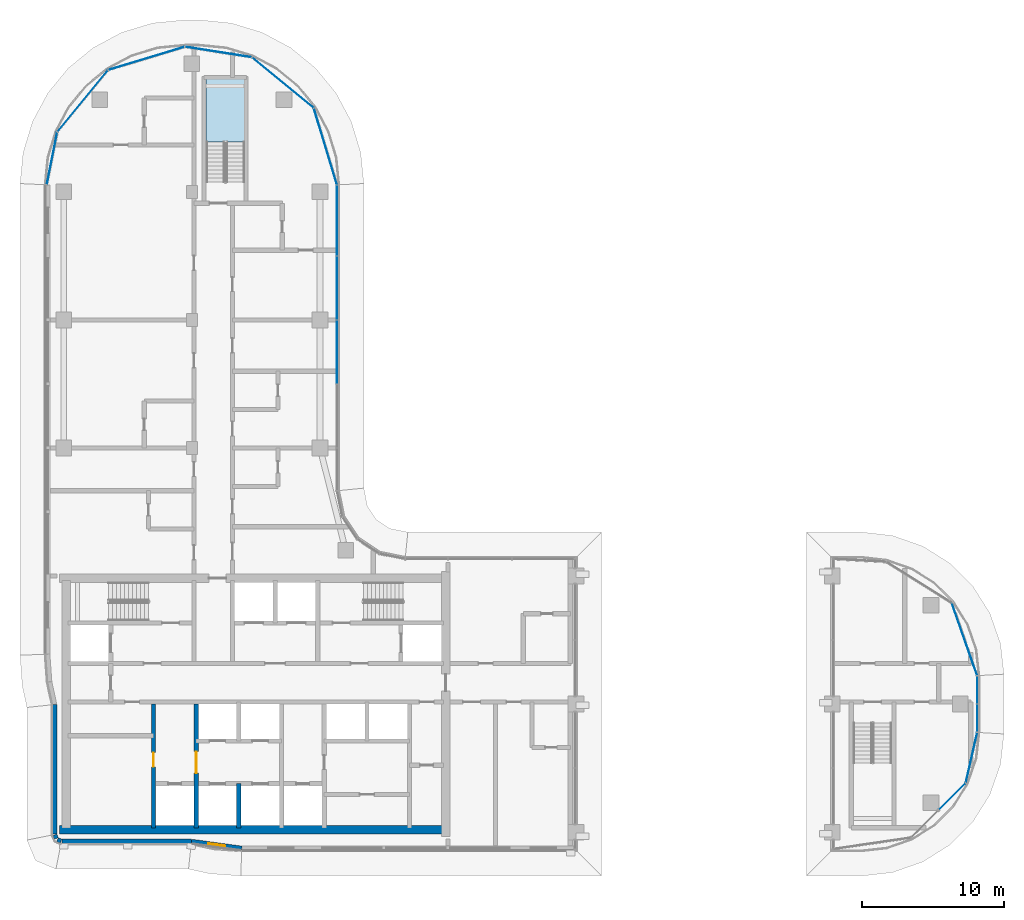
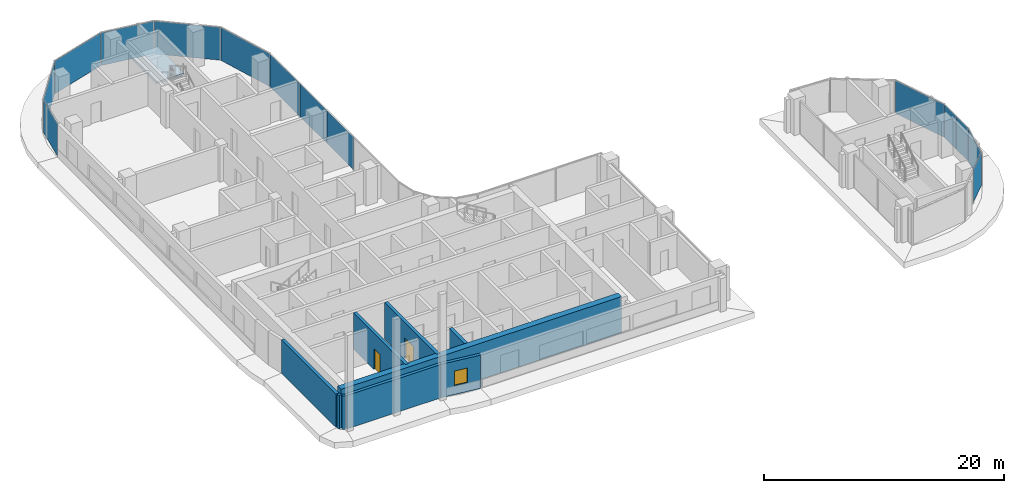
# One storey, part 10 of 27: 14 plates, 9 walls, 2 doors, 1 slab, 1 window, 3 openings, 6 elements without a shape of their own.
"""IFC4 building model written with IfcOpenShell, lengths in metres."""

import ifcopenshell
import ifcopenshell.guid

model = None  # the IFC model being written
_history = None  # IfcOwnerHistory: only IFC2X3 demands one
_inside = {}  # id of a spatial element -> (the spatial element, [elements in it])
_under = {}  # id of a project, library or spatial element -> (it, [spatial elements below it])
_declared = {}  # id of a project -> (the project, [libraries it declares])
_typed = {}  # id of a type object -> (the type object, [elements of that type])
_made_of = {}  # id of a material, layer set ... -> (it, [elements and type objects made of it])


def new_model(schema):
    """Start an empty IFC model of exactly this schema.

    Asked for "IFC4X3", IfcOpenShell would pick the latest addendum, in which some entities
    have other attributes; the version numbers below select the first issue.
    IFC2X3 requires an IfcOwnerHistory on every rooted entity: one is made here for all.
    """
    global model, _history
    if schema == "IFC4X3":
        model = ifcopenshell.file(schema_version=(4, 3, 0, 0))
    else:
        model = ifcopenshell.file(schema=schema)
    _inside.clear()
    _under.clear()
    _declared.clear()
    _typed.clear()
    _made_of.clear()
    _history = None
    if model.schema == "IFC2X3":
        org = make("IfcOrganization", Name="unknown")
        user = make(
            "IfcPersonAndOrganization",
            ThePerson=make("IfcPerson", FamilyName="unknown"),
            TheOrganization=org,
        )
        app = make(
            "IfcApplication",
            ApplicationDeveloper=org,
            Version="unknown",
            ApplicationFullName="unknown",
            ApplicationIdentifier="unknown",
        )
        _history = make(
            "IfcOwnerHistory",
            OwningUser=user,
            OwningApplication=app,
            ChangeAction="ADDED",
            CreationDate=0,
        )
    return model


def make(cls, **values):
    """One entity of the class cls with the attributes given. An attribute that is None is left unset."""
    return model.create_entity(
        cls, **{name: value for name, value in values.items() if value is not None}
    )


def rooted(cls, **values):
    """An entity with a GlobalId (a new one), such as an element, a storey or a relation."""
    return make(cls, GlobalId=ifcopenshell.guid.new(), OwnerHistory=_history, **values)


def si_unit(unit_type, name, prefix=None):
    """IfcSIUnit, for example si_unit("LENGTHUNIT", "METRE", prefix="MILLI")."""
    return make("IfcSIUnit", UnitType=unit_type, Prefix=prefix, Name=name)


def assignment(units):
    """IfcUnitAssignment: the units of a project."""
    return None if units is None else make("IfcUnitAssignment", Units=units)


def point(xyz):
    """IfcCartesianPoint."""
    return None if xyz is None else make("IfcCartesianPoint", Coordinates=xyz)


def direction(xyz):
    """IfcDirection."""
    return None if xyz is None else make("IfcDirection", DirectionRatios=xyz)


def frame(location, z_axis=None, x_axis=None):
    """IfcAxis2Placement3D, a coordinate frame: its origin and axes. An axis left out is left unset."""
    return make(
        "IfcAxis2Placement3D",
        Location=point(location),
        Axis=direction(z_axis),
        RefDirection=direction(x_axis),
    )


def frame_2d(location, x_axis=None):
    """IfcAxis2Placement2D, a coordinate frame in the plane: its origin and x axis."""
    return make(
        "IfcAxis2Placement2D", Location=point(location), RefDirection=direction(x_axis)
    )


def origin():
    """The frame at (0, 0, 0) with its axes left unset."""
    return frame((0.0, 0.0, 0.0))


def origin_2d():
    """The frame at (0, 0) in the plane with its x axis left unset."""
    return frame_2d((0.0, 0.0))


def place(relative_to, where):
    """IfcLocalPlacement: puts the frame where relative to a parent placement (None: the world)."""
    return make(
        "IfcLocalPlacement", PlacementRelTo=relative_to, RelativePlacement=where
    )


def context(
    kind, dimensions, precision=None, world=None, true_north=None, identifier=None
):
    """IfcGeometricRepresentationContext, for example the 3D "Model" context."""
    return make(
        "IfcGeometricRepresentationContext",
        ContextIdentifier=identifier,
        ContextType=kind,
        CoordinateSpaceDimension=dimensions,
        Precision=precision,
        WorldCoordinateSystem=world,
        TrueNorth=true_north,
    )


def subcontext(parent, identifier, kind, view, scale=None):
    """IfcGeometricRepresentationSubContext, for example "Body" below "Model"."""
    return make(
        "IfcGeometricRepresentationSubContext",
        ContextIdentifier=identifier,
        ContextType=kind,
        ParentContext=parent,
        TargetScale=scale,
        TargetView=view,
    )


def project(units=None, contexts=None):
    """IfcProject with its units and contexts."""
    return rooted(
        "IfcProject",
        Name="project",
        RepresentationContexts=contexts,
        UnitsInContext=assignment(units),
    )


def spatial(cls, under=None, at=None, **own):
    """A site, building, storey or space (cls), placed at a placement, below another one or the project."""
    s = rooted(cls, ObjectPlacement=at, **own)
    if under is not None:
        _under.setdefault(under.id(), (under, []))[1].append(s)
    return s


def polyline(points):
    """IfcPolyline through the points."""
    return make("IfcPolyline", Points=[point(p) for p in points])


def profile(cls, at=None, kind="AREA", **sizes):
    """A parametric profile (cls). Its sizes go by their IFC names, for example OverallWidth=200.0."""
    return make(cls, ProfileType=kind, Position=at, **sizes)


def rectangle(**sizes):
    """IfcRectangleProfileDef."""
    return profile("IfcRectangleProfileDef", **sizes)


def outline(outer, holes=None, kind="AREA"):
    """IfcArbitraryClosedProfileDef: a profile drawn as a closed curve; with holes, ...WithVoids."""
    if holes is None:
        return make("IfcArbitraryClosedProfileDef", ProfileType=kind, OuterCurve=outer)
    return make(
        "IfcArbitraryProfileDefWithVoids",
        ProfileType=kind,
        OuterCurve=outer,
        InnerCurves=holes,
    )


def extrude(swept, where, along, depth):
    """IfcExtrudedAreaSolid: the profile swept, set in the frame where, extruded along a direction by depth."""
    return make(
        "IfcExtrudedAreaSolid",
        SweptArea=swept,
        Position=where,
        ExtrudedDirection=direction(along),
        Depth=depth,
    )


def shape(context_of_items, identifier, shape_type, items):
    """IfcShapeRepresentation: the items that make up one representation, for example the "Body"."""
    return make(
        "IfcShapeRepresentation",
        ContextOfItems=context_of_items,
        RepresentationIdentifier=identifier,
        RepresentationType=shape_type,
        Items=items,
    )


def material(Name=None, Category=None):
    """IfcMaterial."""
    return make("IfcMaterial", Name=Name, Category=Category)


def layer(
    of_material, thickness, ventilated=None, Name=None, Category=None, Priority=None
):
    """IfcMaterialLayer: one layer of a wall or slab, of a material (None: an air gap)."""
    return make(
        "IfcMaterialLayer",
        Material=of_material,
        LayerThickness=thickness,
        IsVentilated=ventilated,
        Name=Name,
        Category=Category,
        Priority=Priority,
    )


def layer_set(layers, Name=None):
    """IfcMaterialLayerSet."""
    return make("IfcMaterialLayerSet", MaterialLayers=layers, LayerSetName=Name)


def made_of(thing, what):
    """Note that an element or type object is made of a material, layer set ...; save() writes the relation."""
    if what is not None:
        _made_of.setdefault(what.id(), (what, []))[1].append(thing)
    return thing


def type_object(cls, material=None, **own):
    """A type object (cls), such as IfcWallType, which elements share."""
    return made_of(rooted(cls, **own), material)


def element(
    cls,
    number,
    at=None,
    inside=None,
    cuts=None,
    type_object=None,
    material=None,
    context=None,
    identifier="Body",
    shape_type=None,
    held_by="IfcProductDefinitionShape",
    body=None,
    shapes=None,
    **own,
):
    """One element of the class cls, such as IfcWall. Its Tag is "e" and its number.

    at: its placement. inside: the storey or other place that contains it. cuts: it is an
    opening in that element (IfcRelVoidsElement). A single representation is given by context,
    identifier, shape_type and body (its items); several are given by shapes. held_by: the class
    of the entity that holds the representations. save() writes the other relations.
    """
    e = rooted(cls, Tag="e%d" % number, ObjectPlacement=at, **own)
    if body is not None:
        shapes = [shape(context, identifier, shape_type, body)]
    if shapes is not None:
        e.Representation = make(held_by, Representations=shapes)
    if inside is not None:
        _inside.setdefault(inside.id(), (inside, []))[1].append(e)
    if cuts is not None:
        rooted(
            "IfcRelVoidsElement", RelatingBuildingElement=cuts, RelatedOpeningElement=e
        )
    if type_object is not None:
        _typed.setdefault(type_object.id(), (type_object, []))[1].append(e)
    return made_of(e, material)


def fill(opening, filler):
    """IfcRelFillsElement: the door or window that sits in an opening."""
    return rooted(
        "IfcRelFillsElement",
        RelatingOpeningElement=opening,
        RelatedBuildingElement=filler,
    )


def aggregate(whole, parts):
    """IfcRelAggregates: a whole, such as a stair, and the parts it consists of."""
    return rooted("IfcRelAggregates", RelatingObject=whole, RelatedObjects=parts)


def save(model, path):
    """Write the relations noted so far, then the file.

    IfcRelAggregates (storeys below a building ...), IfcRelContainedInSpatialStructure (elements
    in a storey), IfcRelDefinesByType, IfcRelAssociatesMaterial and IfcRelDeclares: one each for
    every whole, place, type object, material and project.
    """
    for whole, parts in _under.values():
        aggregate(whole, parts)
    for where, things in _inside.values():
        rooted(
            "IfcRelContainedInSpatialStructure",
            RelatedElements=things,
            RelatingStructure=where,
        )
    for kind, things in _typed.values():
        rooted("IfcRelDefinesByType", RelatedObjects=things, RelatingType=kind)
    for what, things in _made_of.values():
        rooted("IfcRelAssociatesMaterial", RelatedObjects=things, RelatingMaterial=what)
    for by, libraries in _declared.values():
        rooted("IfcRelDeclares", RelatingContext=by, RelatedDefinitions=libraries)
    model.write(path)


model = new_model("IFC4")

# Units and contexts
model_context = context("Model", 3, precision=1e-05, world=origin(), true_north=direction((0.0, 1.0)))
body_context = subcontext(model_context, "Body", "Model", "MODEL_VIEW")
ifc_project = project(units=[si_unit("LENGTHUNIT", "METRE"), si_unit("AREAUNIT", "SQUARE_METRE"), si_unit("VOLUMEUNIT", "CUBIC_METRE"), si_unit("PLANEANGLEUNIT", "RADIAN"), si_unit("MASSUNIT", "GRAM", prefix="KILO")], contexts=[model_context])

# Site, building, storey
site_placement = place(None, origin())
site = spatial("IfcSite", under=ifc_project, at=site_placement, CompositionType="ELEMENT")
building_placement = place(site_placement, origin())
building = spatial("IfcBuilding", under=site, at=building_placement, Name="Ogive Portal Towers", CompositionType="ELEMENT")
storey_placement = place(building_placement, frame((0.0, 0.0, 160.699951171875)))
storey = spatial("IfcBuildingStorey", under=building, at=storey_placement, Name="L39", CompositionType="ELEMENT", Elevation=160.699951171875)

# Curtain wall, plates
ifc_material_1 = material(Name="Glass, clear low-iron insulated glazing", Category="glass")
curtain_wall_type = type_object("IfcCurtainWallType", Name="CW FRONT RIBBON 4500", PredefinedType="NOTDEFINED", material=ifc_material_1)
curtain_wall_1_placement = place(storey_placement, origin())
curtain_wall_1 = element("IfcCurtainWall", 1, at=curtain_wall_1_placement, inside=storey, type_object=curtain_wall_type, Name="A:L39:f12:cw0", PredefinedType="NOTDEFINED")
ifc_layer_1 = layer(ifc_material_1, 0.028076171875)
ifc_layer_set_1 = layer_set([ifc_layer_1], Name="CW PANEL IGU 28")
plate_type = type_object("IfcPlateType", Name="CW PANEL IGU 28", PredefinedType="CURTAIN_PANEL", material=ifc_layer_set_1)
plate_1_placement = place(storey_placement, frame((50.705078125, 55.25, 0.0), z_axis=(0.0, 0.0, 1.0), x_axis=(0.0, 1.0, 0.0)))
plate_1 = element("IfcPlate", 2, at=plate_1_placement, type_object=plate_type, Name="panel", PredefinedType="CURTAIN_PANEL", context=body_context, shape_type="SweptSolid", body=[
    extrude(rectangle(XDim=4.43994140625, YDim=0.028076171875, at=origin_2d()), origin(), (0.0, 0.0, 1.0), 3.340087890625),
])
plate_2_placement = place(storey_placement, frame((50.705078125, 59.75, 0.0), z_axis=(0.0, 0.0, 1.0), x_axis=(0.0, 1.0, 0.0)))
plate_2 = element("IfcPlate", 3, at=plate_2_placement, type_object=plate_type, Name="panel", PredefinedType="CURTAIN_PANEL", context=body_context, shape_type="SweptSolid", body=[
    extrude(rectangle(XDim=4.43994140625, YDim=0.028076171875, at=origin_2d()), origin(), (0.0, 0.0, 1.0), 3.340087890625),
])
plate_3_placement = place(storey_placement, frame((50.705078125, 64.494140625, 0.0), z_axis=(0.0, 0.0, 1.0), x_axis=(0.0, 1.0, 0.0)))
plate_3 = element("IfcPlate", 4, at=plate_3_placement, type_object=plate_type, Name="panel", PredefinedType="CURTAIN_PANEL", context=body_context, shape_type="SweptSolid", body=[
    extrude(rectangle(XDim=4.92822265625, YDim=0.028076171875, at=origin_2d()), origin(), (0.0, 0.0, 1.0), 3.340087890625),
])
aggregate(curtain_wall_1, [plate_1, plate_2, plate_3])

curtain_wall_2_placement = place(storey_placement, origin())
curtain_wall_2 = element("IfcCurtainWall", 5, at=curtain_wall_2_placement, inside=storey, type_object=curtain_wall_type, Name="A:L39:f26:cw0", PredefinedType="NOTDEFINED")
plate_4_placement = place(storey_placement, frame((95.705078125, 29.50439453125, 0.0), z_axis=(0.0, 0.0, 1.0), x_axis=(0.0, 1.0, 0.0)))
plate_4 = element("IfcPlate", 6, at=plate_4_placement, type_object=plate_type, Name="panel", PredefinedType="CURTAIN_PANEL", context=body_context, shape_type="SweptSolid", body=[
    extrude(rectangle(XDim=1.930908203125, YDim=0.028076171875, at=origin_2d()), origin(), (0.0, 0.0, 1.0), 3.340087890625),
])
plate_5_placement = place(storey_placement, frame((95.705078125, 31.4931640625, 0.0), z_axis=(0.0, 0.0, 1.0), x_axis=(0.0, 1.0, 0.0)))
plate_5 = element("IfcPlate", 7, at=plate_5_placement, type_object=plate_type, Name="panel", PredefinedType="CURTAIN_PANEL", context=body_context, shape_type="SweptSolid", body=[
    extrude(rectangle(XDim=1.926513671875, YDim=0.028076171875, at=origin_2d()), origin(), (0.0, 0.0, 1.0), 3.340087890625),
])
aggregate(curtain_wall_2, [plate_4, plate_5])

curtain_wall_3_placement = place(storey_placement, origin())
curtain_wall_3 = element("IfcCurtainWall", 8, at=curtain_wall_3_placement, inside=storey, type_object=curtain_wall_type, Name="A:L39:f13:cwa", PredefinedType="NOTDEFINED")
plate_6_placement = place(storey_placement, frame((49.8857421875, 69.68896484375, 0.0), z_axis=(0.0, 0.0, 1.0), x_axis=(-0.290284677254, 0.956940335732, 0.0)))
plate_6 = element("IfcPlate", 9, at=plate_6_placement, type_object=plate_type, Name="panel", PredefinedType="CURTAIN_PANEL", context=body_context, shape_type="SweptSolid", body=[
    extrude(rectangle(XDim=5.584716796875, YDim=0.028076171875, at=origin_2d()), origin(), (0.0, 0.0, 1.0), 3.340087890625),
])
plate_7_placement = place(storey_placement, frame((46.888427734375, 74.17724609375, 0.0), z_axis=(0.0, 0.0, 1.0), x_axis=(-0.773010453363, 0.634393284164, 0.0)))
plate_7 = element("IfcPlate", 10, at=plate_7_placement, type_object=plate_type, Name="panel", PredefinedType="CURTAIN_PANEL", context=body_context, shape_type="SweptSolid", body=[
    extrude(rectangle(XDim=5.57470703125, YDim=0.028076171875, at=origin_2d()), origin(), (0.0, 0.0, 1.0), 3.340087890625),
])
plate_8_placement = place(storey_placement, frame((42.358154296875, 76.333740234375, 0.0), z_axis=(0.0, 0.0, 1.0), x_axis=(-0.987900568675, 0.15508857602, 0.0)))
plate_8 = element("IfcPlate", 11, at=plate_8_placement, type_object=plate_type, Name="panel", PredefinedType="CURTAIN_PANEL", context=body_context, shape_type="SweptSolid", body=[
    extrude(rectangle(XDim=4.70263671875, YDim=0.028076171875, at=origin_2d()), origin(), (0.0, 0.0, 1.0), 3.340087890625),
])
plate_9_placement = place(storey_placement, frame((37.307861328125, 75.884765625, 0.0), z_axis=(0.0, 0.0, 1.0), x_axis=(-0.956940335732, -0.290284677254, 0.0)))
plate_9 = element("IfcPlate", 12, at=plate_9_placement, type_object=plate_type, Name="panel", PredefinedType="CURTAIN_PANEL", context=body_context, shape_type="SweptSolid", body=[
    extrude(rectangle(XDim=5.578369140625, YDim=0.028076171875, at=origin_2d()), origin(), (0.0, 0.0, 1.0), 3.340087890625),
])
plate_10_placement = place(storey_placement, frame((32.822265625, 72.887939453125, 0.0), z_axis=(0.0, 0.0, 1.0), x_axis=(-0.634393284164, -0.773010453363, 0.0)))
plate_10 = element("IfcPlate", 13, at=plate_10_placement, type_object=plate_type, Name="panel", PredefinedType="CURTAIN_PANEL", context=body_context, shape_type="SweptSolid", body=[
    extrude(rectangle(XDim=5.57666015625, YDim=0.028076171875, at=origin_2d()), origin(), (0.0, 0.0, 1.0), 3.340087890625),
])
plate_11_placement = place(storey_placement, frame((30.664794921875, 68.850830078125, 0.0), z_axis=(0.0, 0.0, 1.0), x_axis=(-0.195090322016, -0.980785280403, 0.0)))
plate_11 = element("IfcPlate", 14, at=plate_11_placement, type_object=plate_type, Name="panel", PredefinedType="CURTAIN_PANEL", context=body_context, shape_type="SweptSolid", body=[
    extrude(rectangle(XDim=3.72998046875, YDim=0.028076171875, at=origin_2d()), origin(), (0.0, 0.0, 1.0), 3.340087890625),
])
aggregate(curtain_wall_3, [plate_6, plate_7, plate_8, plate_9, plate_10, plate_11])

curtain_wall_4_placement = place(storey_placement, origin())
curtain_wall_4 = element("IfcCurtainWall", 15, at=curtain_wall_4_placement, inside=storey, type_object=curtain_wall_type, Name="A:L39:f23:cwa~1", PredefinedType="NOTDEFINED")
plate_12_placement = place(storey_placement, frame((93.94580078125, 23.999755859375, 0.0), z_axis=(0.0, 0.0, 1.0), x_axis=(0.707106781187, 0.707106781187, 0.0)))
plate_12 = element("IfcPlate", 16, at=plate_12_placement, type_object=plate_type, Name="panel", PredefinedType="CURTAIN_PANEL", context=body_context, shape_type="SweptSolid", body=[
    extrude(rectangle(XDim=2.615234375, YDim=0.028076171875, at=origin_2d()), origin(), (0.0, 0.0, 1.0), 3.340087890625),
])
plate_13_placement = place(storey_placement, frame((95.29833984375, 26.727294921875, 0.0), z_axis=(0.0, 0.0, 1.0), x_axis=(0.222520933954, 0.974927912182, 0.0)))
plate_13 = element("IfcPlate", 17, at=plate_13_placement, type_object=plate_type, Name="panel", PredefinedType="CURTAIN_PANEL", context=body_context, shape_type="SweptSolid", body=[
    extrude(rectangle(XDim=3.59521484375, YDim=0.028076171875, at=origin_2d()), origin(), (0.0, 0.0, 1.0), 3.340087890625),
])
aggregate(curtain_wall_4, [plate_12, plate_13])

# Curtain wall, plate
curtain_wall_5_placement = place(storey_placement, origin())
curtain_wall_5 = element("IfcCurtainWall", 18, at=curtain_wall_5_placement, inside=storey, type_object=curtain_wall_type, Name="A:L39:f27:cwa", PredefinedType="NOTDEFINED")
plate_14_placement = place(storey_placement, frame((94.80810546875, 35.049560546875, 0.0), z_axis=(0.0, 0.0, 1.0), x_axis=(-0.33027906196, 0.943883330307, 0.0)))
plate_14 = element("IfcPlate", 19, at=plate_14_placement, type_object=plate_type, Name="panel", PredefinedType="CURTAIN_PANEL", context=body_context, shape_type="SweptSolid", body=[
    extrude(rectangle(XDim=5.37109375, YDim=0.028076171875, at=origin_2d()), origin(), (0.0, 0.0, 1.0), 3.340087890625),
])
aggregate(curtain_wall_5, [plate_14])

# Stair, slab
ifc_material_2 = material(Name="Concrete C40/50", Category="concrete")
stair_type = type_object("IfcStairType", Name="INT-STAIR", PredefinedType="HALF_TURN_STAIR", material=ifc_material_2)
stair_placement = place(storey_placement, origin())
stair = element("IfcStair", 20, at=stair_placement, inside=storey, type_object=stair_type, Name="L39 Exit Stair ST-A3", PredefinedType="HALF_TURN_STAIR")
ifc_layer_2 = layer(ifc_material_2, 0.199951171875)
ifc_layer_set_2 = layer_set([ifc_layer_2], Name="INT-LANDING")
slab_type = type_object("IfcSlabType", Name="INT-LANDING", PredefinedType="LANDING", material=ifc_layer_set_2)
slab_placement = place(storey_placement, frame((0.0, 0.0, 1.650146484375)))
slab = element("IfcSlab", 21, at=slab_placement, type_object=slab_type, Name="ST-A3 landing 1", PredefinedType="LANDING", context=body_context, shape_type="SweptSolid", body=[
    extrude(outline(polyline([(44.199951171875, 70.0), (44.199951171875, 74.449951171875), (41.5, 74.449951171875), (41.5, 70.0), (44.199951171875, 70.0)])), origin(), (0.0, 0.0, 1.0), 0.199951171875),
])
aggregate(stair, [slab])

# Wall, opening, door
ifc_material_3 = material(Name="Concrete C60/75", Category="concrete")
ifc_layer_3 = layer(ifc_material_3, 0.300048828125)
ifc_layer_set_3 = layer_set([ifc_layer_3], Name="CORE WALL 300 C60")
wall_type_1 = type_object("IfcWallType", Name="CORE WALL 300 C60", PredefinedType="SHEAR", material=ifc_layer_set_3)
wall_1_placement = place(storey_placement, frame((37.800048828125, 21.800048828125, 0.0), z_axis=(0.0, 0.0, 1.0), x_axis=(0.0, 1.0, 0.0)))
wall_1 = element("IfcWall", 22, at=wall_1_placement, inside=storey, type_object=wall_type_1, Name="Core wall X1 L39", PredefinedType="SHEAR", context=body_context, shape_type="SweptSolid", body=[
    extrude(rectangle(XDim=8.699951171875, YDim=0.300048828125, at=frame_2d((4.35009765625, 0.0))), origin(), (0.0, 0.0, 1.0), 3.699951171875),
])
opening_1_placement = place(wall_1_placement, frame((4.2880859375, 0.0, 0.0)))
opening_1 = element("IfcOpeningElement", 23, at=opening_1_placement, cuts=wall_1, Name="Opening D16-022", PredefinedType="OPENING", context=body_context, shape_type="SweptSolid", body=[
    extrude(rectangle(XDim=1.0, YDim=2.10009765625, at=frame_2d((0.5, 1.050048828125))), frame((0.0, 0.16015625, 0.0), z_axis=(0.0, -1.0, 0.0), x_axis=(1.0, 0.0, 0.0)), (0.0, 0.0, 1.0), 0.320068359375),
])
ifc_material_4 = material(Name="Steel fire door", Category="steel")
door_type_1 = type_object("IfcDoorType", Name="DT-SWING-1000x2100-FD90S", OperationType="SINGLE_SWING_LEFT", PredefinedType="DOOR", material=ifc_material_4)
door_1_placement = place(opening_1_placement, origin())
door_1 = element("IfcDoor", 24, at=door_1_placement, inside=storey, type_object=door_type_1, Name="Door D16-022", OperationType="SINGLE_SWING_RIGHT", OverallHeight=2.10009765625, OverallWidth=1.0, PredefinedType="DOOR", context=body_context, shape_type="SweptSolid", body=[
    extrude(rectangle(XDim=1.0, YDim=2.10009765625, at=frame_2d((0.5, 1.050048828125))), frame((0.0, 0.02490234375, 0.0), z_axis=(0.0, -1.0, 0.0), x_axis=(1.0, 0.0, 0.0)), (0.0, 0.0, 1.0), 0.050048828125),
])
fill(opening_1, door_1)

wall_2_placement = place(storey_placement, frame((40.800048828125, 21.800048828125, 0.0), z_axis=(0.0, 0.0, 1.0), x_axis=(0.0, 1.0, 0.0)))
wall_2 = element("IfcWall", 25, at=wall_2_placement, inside=storey, type_object=wall_type_1, Name="Core wall X2 L39", PredefinedType="SHEAR", context=body_context, shape_type="SweptSolid", body=[
    extrude(rectangle(XDim=8.699951171875, YDim=0.300048828125, at=frame_2d((4.35009765625, 0.0))), origin(), (0.0, 0.0, 1.0), 3.699951171875),
])
opening_2_placement = place(wall_2_placement, frame((3.85009765625, 0.0, 0.0)))
opening_2 = element("IfcOpeningElement", 26, at=opening_2_placement, cuts=wall_2, Name="Opening D16-001", PredefinedType="OPENING", context=body_context, shape_type="SweptSolid", body=[
    extrude(rectangle(XDim=1.5, YDim=2.10009765625, at=frame_2d((0.75, 1.050048828125))), frame((0.0, 0.16015625, 0.0), z_axis=(0.0, -1.0, 0.0), x_axis=(1.0, 0.0, 0.0)), (0.0, 0.0, 1.0), 0.320068359375),
])
door_type_2 = type_object("IfcDoorType", Name="DT-SWING-1500x2100-FD90S", OperationType="SINGLE_SWING_LEFT", PredefinedType="DOOR", material=ifc_material_4)
door_2_placement = place(opening_2_placement, origin())
door_2 = element("IfcDoor", 27, at=door_2_placement, inside=storey, type_object=door_type_2, Name="Door D16-001", OperationType="SINGLE_SWING_RIGHT", OverallHeight=2.10009765625, OverallWidth=1.5, PredefinedType="DOOR", context=body_context, shape_type="SweptSolid", body=[
    extrude(rectangle(XDim=1.5, YDim=2.10009765625, at=frame_2d((0.75, 1.050048828125))), frame((0.0, 0.02490234375, 0.0), z_axis=(0.0, -1.0, 0.0), x_axis=(1.0, 0.0, 0.0)), (0.0, 0.0, 1.0), 0.050048828125),
])
fill(opening_2, door_2)

# Walls
ifc_layer_4 = layer(ifc_material_3, 0.60009765625)
ifc_layer_set_4 = layer_set([ifc_layer_4], Name="CORE WALL 600 C60")
wall_type_2 = type_object("IfcWallType", Name="CORE WALL 600 C60", PredefinedType="SHEAR", material=ifc_layer_set_4)
wall_3_placement = place(storey_placement, frame((31.199951171875, 21.64990234375, 0.0), z_axis=(0.0, 0.0, 1.0), x_axis=(1.0, 0.0, 0.0)))
element("IfcWall", 28, at=wall_3_placement, inside=storey, type_object=wall_type_2, Name="Core wall S L39", PredefinedType="SHEAR", context=body_context, shape_type="SweptSolid", body=[
    extrude(rectangle(XDim=27.0, YDim=0.60009765625, at=frame_2d((13.5, 0.0))), origin(), (0.0, 0.0, 1.0), 3.699951171875),
])
ifc_material_5 = material(Name="Limestone cladding on lightweight block wall", Category="masonry")
ifc_layer_5 = layer(ifc_material_5, 0.300048828125)
ifc_layer_set_5 = layer_set([ifc_layer_5], Name="EXTERNAL WALL 300 STONE")
wall_type_3 = type_object("IfcWallType", Name="EXTERNAL WALL 300 STONE", PredefinedType="SOLIDWALL", material=ifc_layer_set_5)
wall_4_placement = place(storey_placement, frame((30.85009765625, 30.45361328125, 0.0), z_axis=(0.0, 0.0, 1.0), x_axis=(0.0, -1.0, 0.0)))
element("IfcWall", 29, at=wall_4_placement, inside=storey, type_object=wall_type_3, Name="A:L39:f00:r0:wall", PredefinedType="SOLIDWALL", context=body_context, shape_type="SweptSolid", body=[
    extrude(rectangle(XDim=9.093994140625, YDim=0.300048828125, at=frame_2d((4.546875, 0.0))), origin(), (0.0, 0.0, 1.0), 3.400146484375),
])
for number, where, z_axis, x_axis, name in (
    (30, (30.861328125, 21.30224609375, 0.0), (0.0, 0.0, 1.0), (0.38297812142, -0.923757413239, 0.0), "A:L39:f01:r0:wall"),
    (31, (31.0478515625, 20.966796875, 0.0), (0.0, 0.0, 1.0), (0.923757413239, -0.38297812142, 0.0), "A:L39:f02:r0:wall"),
):
    element("IfcWall", number, at=place(storey_placement, frame(where, z_axis=z_axis, x_axis=x_axis)), inside=storey, type_object=wall_type_3, Name=name, PredefinedType="SOLIDWALL", context=body_context, shape_type="SweptSolid", body=[
        extrude(rectangle(XDim=0.275390625, YDim=0.300048828125, at=frame_2d((0.1376953125, 0.0))), origin(), (0.0, 0.0, 1.0), 3.400146484375),
    ])
wall_5_placement = place(storey_placement, frame((31.359619140625, 20.85009765625, 0.0), z_axis=(0.0, 0.0, 1.0), x_axis=(1.0, 0.0, 0.0)))
element("IfcWall", 32, at=wall_5_placement, inside=storey, type_object=wall_type_3, Name="A:L39:f03:r0:wall", PredefinedType="SOLIDWALL", context=body_context, shape_type="SweptSolid", body=[
    extrude(rectangle(XDim=9.093994140625, YDim=0.300048828125, at=frame_2d((4.546875, 0.0))), origin(), (0.0, 0.0, 1.0), 3.400146484375),
])

# Wall, opening, window
wall_6_placement = place(storey_placement, frame((40.47412109375, 20.8486328125, 0.0), z_axis=(0.0, 0.0, 1.0), x_axis=(0.990778329255, -0.135492812649, 0.0)))
wall_6 = element("IfcWall", 33, at=wall_6_placement, inside=storey, type_object=wall_type_3, Name="A:L39:f04:r0:wall", PredefinedType="SOLIDWALL", context=body_context, shape_type="SweptSolid", body=[
    extrude(rectangle(XDim=3.55859375, YDim=0.300048828125, at=frame_2d((1.779296875, 0.0))), origin(), (0.0, 0.0, 1.0), 3.400146484375),
])
opening_3_placement = place(wall_6_placement, frame((1.179443359375, 0.0, 0.89990234375)))
opening_3 = element("IfcOpeningElement", 34, at=opening_3_placement, cuts=wall_6, Name="Opening WN9", PredefinedType="OPENING", context=body_context, shape_type="SweptSolid", body=[
    extrude(rectangle(XDim=1.199951171875, YDim=1.5, at=frame_2d((0.60009765625, 0.75))), frame((0.0, 0.16015625, 0.0), z_axis=(0.0, -1.0, 0.0), x_axis=(1.0, 0.0, 0.0)), (0.0, 0.0, 1.0), 0.320068359375),
])
window_type = type_object("IfcWindowType", Name="WINDOW HOTEL CASEMENT 1200x1500", PartitioningType="DOUBLE_PANEL_VERTICAL", PredefinedType="WINDOW", material=ifc_material_1)
window_placement = place(opening_3_placement, origin())
window = element("IfcWindow", 35, at=window_placement, inside=storey, type_object=window_type, Name="A:L39:f04:r0:w0", OverallHeight=1.5, OverallWidth=1.199951171875, PartitioningType="SINGLE_PANEL", PredefinedType="WINDOW", context=body_context, shape_type="SweptSolid", body=[
    extrude(rectangle(XDim=1.199951171875, YDim=1.5, at=frame_2d((0.60009765625, 0.75))), frame((0.0, 0.030029296875, 0.0), z_axis=(0.0, -1.0, 0.0), x_axis=(1.0, 0.0, 0.0)), (0.0, 0.0, 1.0), 0.06005859375),
])
fill(opening_3, window)

# Wall
ifc_layer_6 = layer(ifc_material_2, 0.300048828125)
ifc_layer_set_6 = layer_set([ifc_layer_6], Name="WT-SHAFT-300")
wall_type_4 = type_object("IfcWallType", Name="WT-SHAFT-300", PredefinedType="SOLIDWALL", material=ifc_layer_set_6)
wall_7_placement = place(storey_placement, frame((43.800048828125, 21.800048828125, 0.0), z_axis=(0.0, 0.0, 1.0), x_axis=(0.0, 1.0, 0.0)))
element("IfcWall", 36, at=wall_7_placement, inside=storey, type_object=wall_type_4, Name="Wall pw:008:L39", PredefinedType="SOLIDWALL", context=body_context, shape_type="SweptSolid", body=[
    extrude(rectangle(XDim=3.099853515625, YDim=0.300048828125, at=frame_2d((1.5498046875, 0.0))), origin(), (0.0, 0.0, 1.0), 3.400146484375),
])

save(model, "model.ifc")
